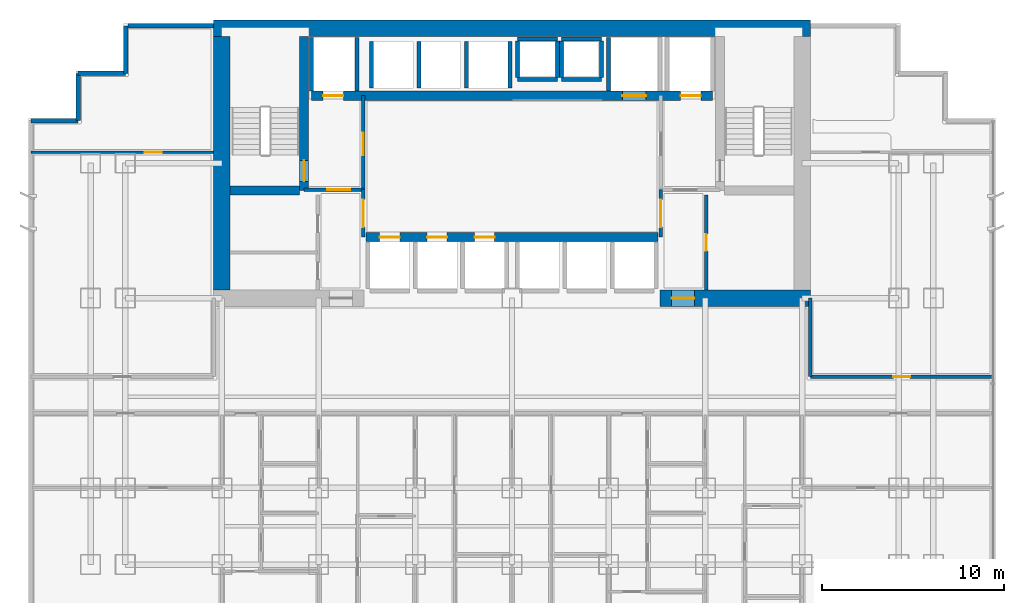
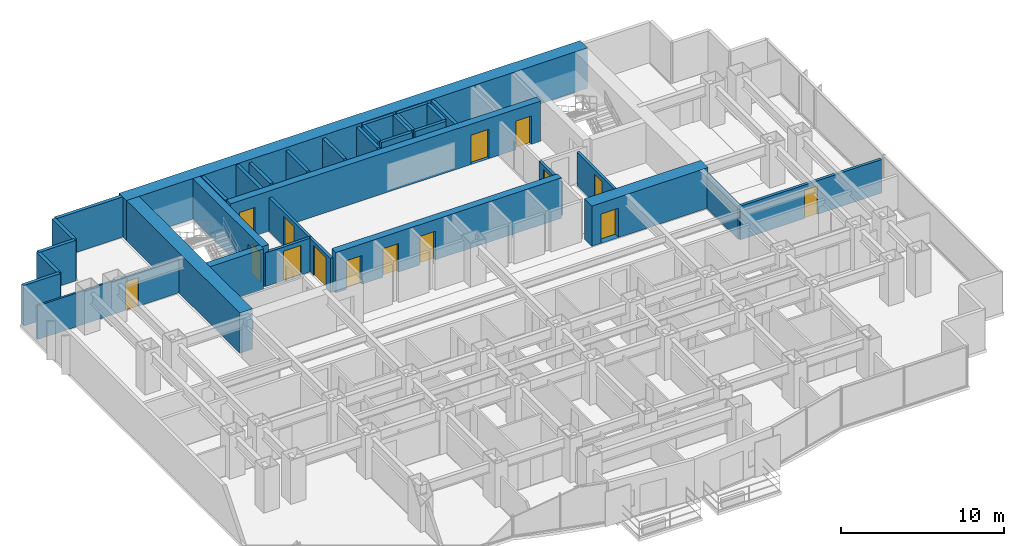
# One storey, part 9 of 12: 35 walls, 15 doors, 15 openings.
"""IFC4 building model written with IfcOpenShell, lengths in metres."""

from ifc_helpers import new_model, si_unit, direction, frame, frame_2d, origin, place, context, subcontext, project, spatial, rectangle, extrude, material, layer, layer_set, type_object, element, fill, save


model = new_model("IFC4")

# Units and contexts
model_context = context("Model", 3, precision=1e-05, world=origin(), true_north=direction((0.0, 1.0)))
body_context = subcontext(model_context, "Body", "Model", "MODEL_VIEW")
ifc_project = project(units=[si_unit("LENGTHUNIT", "METRE"), si_unit("AREAUNIT", "SQUARE_METRE"), si_unit("VOLUMEUNIT", "CUBIC_METRE"), si_unit("PLANEANGLEUNIT", "RADIAN"), si_unit("MASSUNIT", "GRAM", prefix="KILO")], contexts=[model_context])

# Site, building, storey
site_placement = place(None, origin())
site = spatial("IfcSite", under=ifc_project, at=site_placement, CompositionType="ELEMENT")
building_placement = place(site_placement, origin())
building = spatial("IfcBuilding", under=site, at=building_placement, Name="Qianlan Lanfeng Residences", CompositionType="ELEMENT")
storey_placement = place(building_placement, frame((0.0, 0.0, 67.10009765625)))
storey = spatial("IfcBuildingStorey", under=building, at=storey_placement, Name="L18", CompositionType="ELEMENT", Elevation=67.10009765625)

# Wall, opening, door
ifc_material_1 = material(Name="Concrete C70", Category="concrete")
ifc_layer_1 = layer(ifc_material_1, 0.5)
ifc_layer_set_1 = layer_set([ifc_layer_1], Name="Concrete C70")
wall_type_1 = type_object("IfcWallType", Name="CW-RC-500", PredefinedType="SHEAR", material=ifc_layer_set_1)
wall_1_placement = place(storey_placement, frame((15.10009765625, 31.10009765625, 0.0), z_axis=(0.0, 0.0, 1.0), x_axis=(0.0, 1.0, 0.0)))
wall_1 = element("IfcWall", 1, at=wall_1_placement, inside=storey, type_object=wall_type_1, Name="L18 Core Shear Wall ST1E", PredefinedType="SHEAR", context=body_context, shape_type="SweptSolid", body=[
    extrude(rectangle(XDim=8.449951171875, YDim=0.5, at=frame_2d((4.22509765625, 0.0))), origin(), (0.0, 0.0, 1.0), 3.02978515625),
])
opening_1_placement = place(wall_1_placement, frame((0.510009765625, 0.0, 0.0)))
opening_1 = element("IfcOpeningElement", 2, at=opening_1_placement, cuts=wall_1, Name="Opening L18-D07", PredefinedType="OPENING", context=body_context, shape_type="SweptSolid", body=[
    extrude(rectangle(XDim=1.14990234375, YDim=2.199951171875, at=frame_2d((0.574951171875, 1.10009765625))), frame((0.0, 0.260009765625, 0.0), z_axis=(0.0, -1.0, 0.0), x_axis=(1.0, 0.0, 0.0)), (0.0, 0.0, 1.0), 0.52001953125),
])
ifc_material_2 = material(Name="Painted Galvanised Steel Fire Door", Category="steel")
door_type_1 = type_object("IfcDoorType", Name="DT-ST1", OperationType="NOTDEFINED", PredefinedType="DOOR", material=ifc_material_2)
door_1_placement = place(opening_1_placement, frame((1.14990234375, 0.0, 0.0), z_axis=(0.0, 0.0, 1.0), x_axis=(-1.0, 0.0, 0.0)))
door_1 = element("IfcDoor", 3, at=door_1_placement, inside=storey, type_object=door_type_1, Name="L18 Exit Stair ST-1 Door L18-D07 (DT-ST1)", OperationType="SINGLE_SWING_RIGHT", OverallHeight=2.199951171875, OverallWidth=1.14990234375, PredefinedType="DOOR", context=body_context, shape_type="SweptSolid", body=[
    extrude(rectangle(XDim=1.14990234375, YDim=2.199951171875, at=frame_2d((0.574951171875, 1.10009765625))), frame((0.0, 0.02490234375, 0.0), z_axis=(0.0, -1.0, 0.0), x_axis=(1.0, 0.0, 0.0)), (0.0, 0.0, 1.0), 0.050048828125),
])
fill(opening_1, door_1)

# Wall
wall_2_placement = place(storey_placement, frame((11.050048828125, 31.10009765625, 0.0), z_axis=(0.0, 0.0, 1.0), x_axis=(1.0, 0.0, 0.0)))
element("IfcWall", 4, at=wall_2_placement, inside=storey, type_object=wall_type_1, Name="L18 Core Shear Wall ST1S", PredefinedType="SHEAR", context=body_context, shape_type="SweptSolid", body=[
    extrude(rectangle(XDim=3.800048828125, YDim=0.5, at=frame_2d((1.89990234375, 0.0))), origin(), (0.0, 0.0, 1.0), 3.02978515625),
])

# Wall, openings, doors
wall_3_placement = place(storey_placement, frame((15.5, 36.300048828125, 0.0), z_axis=(0.0, 0.0, 1.0), x_axis=(1.0, 0.0, 0.0)))
wall_3 = element("IfcWall", 5, at=wall_3_placement, inside=storey, type_object=wall_type_1, Name="L18 Core Shear Wall LBN", PredefinedType="SHEAR", context=body_context, shape_type="SweptSolid", body=[
    extrude(rectangle(XDim=22.0, YDim=0.5, at=frame_2d((11.0, 0.0))), origin(), (0.0, 0.0, 1.0), 3.02978515625),
])
opening_2_placement = place(wall_3_placement, frame((0.64990234375, 0.0, 0.0)))
opening_2 = element("IfcOpeningElement", 6, at=opening_2_placement, cuts=wall_3, Name="Opening L18-LD-FFL-1", PredefinedType="OPENING", context=body_context, shape_type="SweptSolid", body=[
    extrude(rectangle(XDim=1.10009765625, YDim=2.14990234375, at=frame_2d((0.550048828125, 1.074951171875))), frame((0.0, 0.260009765625, 0.0), z_axis=(0.0, -1.0, 0.0), x_axis=(1.0, 0.0, 0.0)), (0.0, 0.0, 1.0), 0.52001953125),
])
opening_3_placement = place(wall_3_placement, frame((20.25, 0.0, 0.0)))
opening_3 = element("IfcOpeningElement", 7, at=opening_3_placement, cuts=wall_3, Name="Opening L18-LD-FFL-2", PredefinedType="OPENING", context=body_context, shape_type="SweptSolid", body=[
    extrude(rectangle(XDim=1.10009765625, YDim=2.14990234375, at=frame_2d((0.550048828125, 1.074951171875))), frame((0.0, 0.260009765625, 0.0), z_axis=(0.0, -1.0, 0.0), x_axis=(1.0, 0.0, 0.0)), (0.0, 0.0, 1.0), 0.52001953125),
])
opening_4_placement = place(wall_3_placement, frame((17.050048828125, 0.0, 0.0)))
opening_4 = element("IfcOpeningElement", 8, at=opening_4_placement, cuts=wall_3, Name="Opening L18-LD-SVL-1", PredefinedType="OPENING", context=body_context, shape_type="SweptSolid", body=[
    extrude(rectangle(XDim=1.300048828125, YDim=2.199951171875, at=frame_2d((0.64990234375, 1.10009765625))), frame((0.0, 0.260009765625, 0.0), z_axis=(0.0, -1.0, 0.0), x_axis=(1.0, 0.0, 0.0)), (0.0, 0.0, 1.0), 0.52001953125),
])
ifc_material_3 = material(Name="Brushed Stainless Steel Sliding Lift Door", Category="steel")
door_type_2 = type_object("IfcDoorType", Name="LD-01", OperationType="NOTDEFINED", PredefinedType="DOOR", material=ifc_material_3)
door_2_placement = place(opening_2_placement, frame((1.10009765625, 0.0, 0.0), z_axis=(0.0, 0.0, 1.0), x_axis=(-1.0, 0.0, 0.0)))
door_2 = element("IfcDoor", 9, at=door_2_placement, inside=storey, type_object=door_type_2, Name="L18 Elevator FFL-1 Sliding Landing Door", OperationType="DOUBLE_DOOR_SLIDING", OverallHeight=2.14990234375, OverallWidth=1.10009765625, PredefinedType="DOOR", context=body_context, shape_type="SweptSolid", body=[
    extrude(rectangle(XDim=1.10009765625, YDim=2.14990234375, at=frame_2d((0.550048828125, 1.074951171875))), frame((0.0, 0.02490234375, 0.0), z_axis=(0.0, -1.0, 0.0), x_axis=(1.0, 0.0, 0.0)), (0.0, 0.0, 1.0), 0.050048828125),
])
fill(opening_2, door_2)
door_3_placement = place(opening_3_placement, frame((1.10009765625, 0.0, 0.0), z_axis=(0.0, 0.0, 1.0), x_axis=(-1.0, 0.0, 0.0)))
door_3 = element("IfcDoor", 10, at=door_3_placement, inside=storey, type_object=door_type_2, Name="L18 Elevator FFL-2 Sliding Landing Door", OperationType="DOUBLE_DOOR_SLIDING", OverallHeight=2.14990234375, OverallWidth=1.10009765625, PredefinedType="DOOR", context=body_context, shape_type="SweptSolid", body=[
    extrude(rectangle(XDim=1.10009765625, YDim=2.14990234375, at=frame_2d((0.550048828125, 1.074951171875))), frame((0.0, 0.02490234375, 0.0), z_axis=(0.0, -1.0, 0.0), x_axis=(1.0, 0.0, 0.0)), (0.0, 0.0, 1.0), 0.050048828125),
])
fill(opening_3, door_3)
door_type_3 = type_object("IfcDoorType", Name="LD-02", OperationType="NOTDEFINED", PredefinedType="DOOR", material=ifc_material_3)
door_4_placement = place(opening_4_placement, frame((1.300048828125, 0.0, 0.0), z_axis=(0.0, 0.0, 1.0), x_axis=(-1.0, 0.0, 0.0)))
door_4 = element("IfcDoor", 11, at=door_4_placement, inside=storey, type_object=door_type_3, Name="L18 Elevator SVL-1 Sliding Landing Door", OperationType="DOUBLE_DOOR_SLIDING", OverallHeight=2.199951171875, OverallWidth=1.300048828125, PredefinedType="DOOR", context=body_context, shape_type="SweptSolid", body=[
    extrude(rectangle(XDim=1.300048828125, YDim=2.199951171875, at=frame_2d((0.64990234375, 1.10009765625))), frame((0.0, 0.02490234375, 0.0), z_axis=(0.0, -1.0, 0.0), x_axis=(1.0, 0.0, 0.0)), (0.0, 0.0, 1.0), 0.050048828125),
])
fill(opening_4, door_4)

wall_4_placement = place(storey_placement, frame((18.5, 28.550048828125, 0.0), z_axis=(0.0, 0.0, 1.0), x_axis=(1.0, 0.0, 0.0)))
wall_4 = element("IfcWall", 12, at=wall_4_placement, inside=storey, type_object=wall_type_1, Name="L18 Core Shear Wall LBS", PredefinedType="SHEAR", context=body_context, shape_type="SweptSolid", body=[
    extrude(rectangle(XDim=16.0, YDim=0.5, at=frame_2d((8.0, 0.0))), origin(), (0.0, 0.0, 1.0), 3.02978515625),
])
opening_5_placement = place(wall_4_placement, frame((0.75, 0.0, 0.0)))
opening_5 = element("IfcOpeningElement", 13, at=opening_5_placement, cuts=wall_4, Name="Opening L18-LD-PL-L1", PredefinedType="OPENING", context=body_context, shape_type="SweptSolid", body=[
    extrude(rectangle(XDim=1.10009765625, YDim=2.14990234375, at=frame_2d((0.550048828125, 1.074951171875))), frame((0.0, 0.260009765625, 0.0), z_axis=(0.0, -1.0, 0.0), x_axis=(1.0, 0.0, 0.0)), (0.0, 0.0, 1.0), 0.52001953125),
])
opening_6_placement = place(wall_4_placement, frame((3.35009765625, 0.0, 0.0)))
opening_6 = element("IfcOpeningElement", 14, at=opening_6_placement, cuts=wall_4, Name="Opening L18-LD-PL-L2", PredefinedType="OPENING", context=body_context, shape_type="SweptSolid", body=[
    extrude(rectangle(XDim=1.10009765625, YDim=2.14990234375, at=frame_2d((0.550048828125, 1.074951171875))), frame((0.0, 0.260009765625, 0.0), z_axis=(0.0, -1.0, 0.0), x_axis=(1.0, 0.0, 0.0)), (0.0, 0.0, 1.0), 0.52001953125),
])
opening_7_placement = place(wall_4_placement, frame((5.949951171875, 0.0, 0.0)))
opening_7 = element("IfcOpeningElement", 15, at=opening_7_placement, cuts=wall_4, Name="Opening L18-LD-PL-L3", PredefinedType="OPENING", context=body_context, shape_type="SweptSolid", body=[
    extrude(rectangle(XDim=1.10009765625, YDim=2.14990234375, at=frame_2d((0.550048828125, 1.074951171875))), frame((0.0, 0.260009765625, 0.0), z_axis=(0.0, -1.0, 0.0), x_axis=(1.0, 0.0, 0.0)), (0.0, 0.0, 1.0), 0.52001953125),
])
door_5_placement = place(opening_5_placement, origin())
door_5 = element("IfcDoor", 16, at=door_5_placement, inside=storey, type_object=door_type_2, Name="L18 Elevator PL-L1 Sliding Landing Door", OperationType="DOUBLE_DOOR_SLIDING", OverallHeight=2.14990234375, OverallWidth=1.10009765625, PredefinedType="DOOR", context=body_context, shape_type="SweptSolid", body=[
    extrude(rectangle(XDim=1.10009765625, YDim=2.14990234375, at=frame_2d((0.550048828125, 1.074951171875))), frame((0.0, 0.02490234375, 0.0), z_axis=(0.0, -1.0, 0.0), x_axis=(1.0, 0.0, 0.0)), (0.0, 0.0, 1.0), 0.050048828125),
])
fill(opening_5, door_5)
door_6_placement = place(opening_6_placement, origin())
door_6 = element("IfcDoor", 17, at=door_6_placement, inside=storey, type_object=door_type_2, Name="L18 Elevator PL-L2 Sliding Landing Door", OperationType="DOUBLE_DOOR_SLIDING", OverallHeight=2.14990234375, OverallWidth=1.10009765625, PredefinedType="DOOR", context=body_context, shape_type="SweptSolid", body=[
    extrude(rectangle(XDim=1.10009765625, YDim=2.14990234375, at=frame_2d((0.550048828125, 1.074951171875))), frame((0.0, 0.02490234375, 0.0), z_axis=(0.0, -1.0, 0.0), x_axis=(1.0, 0.0, 0.0)), (0.0, 0.0, 1.0), 0.050048828125),
])
fill(opening_6, door_6)
door_7_placement = place(opening_7_placement, origin())
door_7 = element("IfcDoor", 18, at=door_7_placement, inside=storey, type_object=door_type_2, Name="L18 Elevator PL-L3 Sliding Landing Door", OperationType="DOUBLE_DOOR_SLIDING", OverallHeight=2.14990234375, OverallWidth=1.10009765625, PredefinedType="DOOR", context=body_context, shape_type="SweptSolid", body=[
    extrude(rectangle(XDim=1.10009765625, YDim=2.14990234375, at=frame_2d((0.550048828125, 1.074951171875))), frame((0.0, 0.02490234375, 0.0), z_axis=(0.0, -1.0, 0.0), x_axis=(1.0, 0.0, 0.0)), (0.0, 0.0, 1.0), 0.050048828125),
])
fill(opening_7, door_7)

# Walls
ifc_layer_2 = layer(ifc_material_1, 0.89990234375)
ifc_layer_set_2 = layer_set([ifc_layer_2], Name="Concrete C70")
wall_type_2 = type_object("IfcWallType", Name="CW-RC-900", PredefinedType="SHEAR", material=ifc_layer_set_2)
wall_5_placement = place(storey_placement, frame((10.14990234375, 40.0, 0.0), z_axis=(0.0, 0.0, 1.0), x_axis=(1.0, 0.0, 0.0)))
element("IfcWall", 19, at=wall_5_placement, inside=storey, type_object=wall_type_2, Name="L18 Core Shear Wall N", PredefinedType="SHEAR", context=body_context, shape_type="SweptSolid", body=[
    extrude(rectangle(XDim=32.7001953125, YDim=0.89990234375, at=frame_2d((16.35009765625, 0.0))), origin(), (0.0, 0.0, 1.0), 3.02978515625),
])
wall_6_placement = place(storey_placement, frame((10.60009765625, 25.64990234375, 0.0), z_axis=(0.0, 0.0, 1.0), x_axis=(0.0, 1.0, 0.0)))
element("IfcWall", 20, at=wall_6_placement, inside=storey, type_object=wall_type_2, Name="L18 Core Shear Wall W", PredefinedType="SHEAR", context=body_context, shape_type="SweptSolid", body=[
    extrude(rectangle(XDim=13.900146484375, YDim=0.89990234375, at=frame_2d((6.9501953125, 0.0))), origin(), (0.0, 0.0, 1.0), 3.02978515625),
])

# Wall, opening, door
wall_7_placement = place(storey_placement, frame((34.60009765625, 25.199951171875, 0.0), z_axis=(0.0, 0.0, 1.0), x_axis=(1.0, 0.0, 0.0)))
wall_7 = element("IfcWall", 21, at=wall_7_placement, inside=storey, type_object=wall_type_2, Name="L18 Core Shear Wall SE", PredefinedType="SHEAR", context=body_context, shape_type="SweptSolid", body=[
    extrude(rectangle(XDim=8.25, YDim=0.89990234375, at=frame_2d((4.125, 0.0))), origin(), (0.0, 0.0, 1.0), 3.02978515625),
])
opening_8_placement = place(wall_7_placement, frame((0.64990234375, 0.0, 0.0)))
opening_8 = element("IfcOpeningElement", 22, at=opening_8_placement, cuts=wall_7, Name="Opening L18-D02", PredefinedType="OPENING", context=body_context, shape_type="SweptSolid", body=[
    extrude(rectangle(XDim=1.25, YDim=2.199951171875, at=frame_2d((0.625, 1.10009765625))), frame((0.0, 0.4599609375, 0.0), z_axis=(0.0, -1.0, 0.0), x_axis=(1.0, 0.0, 0.0)), (0.0, 0.0, 1.0), 0.919921875),
])
door_type_4 = type_object("IfcDoorType", Name="DT-FFL", OperationType="NOTDEFINED", PredefinedType="DOOR", material=ifc_material_2)
door_8_placement = place(opening_8_placement, frame((1.25, 0.0, 0.0), z_axis=(0.0, 0.0, 1.0), x_axis=(-1.0, 0.0, 0.0)))
door_8 = element("IfcDoor", 23, at=door_8_placement, inside=storey, type_object=door_type_4, Name="L18 East Core Lobby Smoke Door L18-D02 (DT-FFL)", OperationType="SINGLE_SWING_LEFT", OverallHeight=2.199951171875, OverallWidth=1.25, PredefinedType="DOOR", context=body_context, shape_type="SweptSolid", body=[
    extrude(rectangle(XDim=1.25, YDim=2.199951171875, at=frame_2d((0.625, 1.10009765625))), frame((0.0, 0.02490234375, 0.0), z_axis=(0.0, -1.0, 0.0), x_axis=(1.0, 0.0, 0.0)), (0.0, 0.0, 1.0), 0.050048828125),
])
fill(opening_8, door_8)

# Walls
ifc_material_4 = material(Name="Concrete C42", Category="concrete")
ifc_layer_3 = layer(ifc_material_4, 0.239990234375)
ifc_layer_set_3 = layer_set([ifc_layer_3], Name="Concrete C42")
wall_type_3 = type_object("IfcWallType", Name="EW-240", PredefinedType="SOLIDWALL", material=ifc_layer_set_3)
wall_8_placement = place(storey_placement, frame((10.14990234375, 40.1298828125, 0.0), z_axis=(0.0, 0.0, 1.0), x_axis=(-1.0, 0.0, 0.0)))
element("IfcWall", 24, at=wall_8_placement, inside=storey, type_object=wall_type_3, Name="L18 North Wing Exterior Wall W", PredefinedType="SOLIDWALL", context=body_context, shape_type="SweptSolid", body=[
    extrude(rectangle(XDim=4.699951171875, YDim=0.239990234375, at=frame_2d((2.35009765625, 0.0))), origin(), (0.0, 0.0, 1.0), 3.02978515625),
])
wall_9_placement = place(storey_placement, frame((5.320068359375, 40.1298828125, 0.0), z_axis=(0.0, 0.0, 1.0), x_axis=(0.0, -1.0, 0.0)))
element("IfcWall", 25, at=wall_9_placement, inside=storey, type_object=wall_type_3, Name="L18 Exterior Facade Spandrel Wall 17", PredefinedType="SOLIDWALL", context=body_context, shape_type="SweptSolid", body=[
    extrude(rectangle(XDim=2.599853515625, YDim=0.239990234375, at=frame_2d((1.2998046875, 0.0))), origin(), (0.0, 0.0, 1.0), 3.02978515625),
])
for number, where, z_axis, x_axis, name in (
    (26, (5.320068359375, 37.530029296875, 0.0), (0.0, 0.0, 1.0), (-1.0, 0.0, 0.0), "L18 Exterior Facade Spandrel Wall 18"),
    (27, (2.719970703125, 37.530029296875, 0.0), (0.0, 0.0, 1.0), (0.0, -1.0, 0.0), "L18 Exterior Facade Spandrel Wall 19"),
):
    element("IfcWall", number, at=place(storey_placement, frame(where, z_axis=z_axis, x_axis=x_axis)), inside=storey, type_object=wall_type_3, Name=name, PredefinedType="SOLIDWALL", context=body_context, shape_type="SweptSolid", body=[
        extrude(rectangle(XDim=2.60009765625, YDim=0.239990234375, at=frame_2d((1.300048828125, 0.0))), origin(), (0.0, 0.0, 1.0), 3.02978515625),
    ])
wall_10_placement = place(storey_placement, frame((2.719970703125, 34.929931640625, 0.0), z_axis=(0.0, 0.0, 1.0), x_axis=(-1.0, 0.0, 0.0)))
element("IfcWall", 28, at=wall_10_placement, inside=storey, type_object=wall_type_3, Name="L18 Exterior Facade Spandrel Wall 20", PredefinedType="SOLIDWALL", context=body_context, shape_type="SweptSolid", body=[
    extrude(rectangle(XDim=2.599853515625, YDim=0.239990234375, at=frame_2d((1.2998046875, 0.0))), origin(), (0.0, 0.0, 1.0), 3.02978515625),
])

# Wall, opening, door
ifc_material_5 = material(Name="Moisture-Resistant Gypsum Partition 135 mm")
ifc_layer_4 = layer(ifc_material_5, 0.135009765625)
ifc_layer_set_4 = layer_set([ifc_layer_4], Name="Moisture-Resistant Gypsum Partition 135 mm")
wall_type_4 = type_object("IfcWallType", Name="PW-135", PredefinedType="PARTITIONING", material=ifc_layer_set_4)
wall_11_placement = place(storey_placement, frame((0.1201171875, 33.199951171875, 0.0), z_axis=(0.0, 0.0, 1.0), x_axis=(1.0, 0.0, 0.0)))
wall_11 = element("IfcWall", 29, at=wall_11_placement, inside=storey, type_object=wall_type_4, Name="L18 WW North Wing Wall", PredefinedType="PARTITIONING", context=body_context, shape_type="SweptSolid", body=[
    extrude(rectangle(XDim=10.02978515625, YDim=0.135009765625, at=frame_2d((5.014892578125, 0.0))), origin(), (0.0, 0.0, 1.0), 2.52001953125),
])
opening_9_placement = place(wall_11_placement, frame((6.2548828125, 0.0, 0.0)))
opening_9 = element("IfcOpeningElement", 30, at=opening_9_placement, cuts=wall_11, Name="Opening L18-D46", PredefinedType="OPENING", context=body_context, shape_type="SweptSolid", body=[
    extrude(rectangle(XDim=0.919921875, YDim=2.14990234375, at=frame_2d((0.4599609375, 1.074951171875))), frame((0.0, 0.07763671875, 0.0), z_axis=(0.0, -1.0, 0.0), x_axis=(1.0, 0.0, 0.0)), (0.0, 0.0, 1.0), 0.155029296875),
])
ifc_material_6 = material(Name="Glazed Timber Kitchen/Study Door", Category="wood")
door_type_5 = type_object("IfcDoorType", Name="DT-INT", OperationType="NOTDEFINED", PredefinedType="DOOR", material=ifc_material_6)
door_9_placement = place(opening_9_placement, origin())
door_9 = element("IfcDoor", 31, at=door_9_placement, inside=storey, type_object=door_type_5, Name="L18 WW Inner Salon Door L18-D46 (DT-INT)", OperationType="SINGLE_SWING_RIGHT", OverallHeight=2.14990234375, OverallWidth=0.919921875, PredefinedType="DOOR", context=body_context, shape_type="SweptSolid", body=[
    extrude(rectangle(XDim=0.919921875, YDim=2.14990234375, at=frame_2d((0.4599609375, 1.074951171875))), frame((0.0, 0.02490234375, 0.0), z_axis=(0.0, -1.0, 0.0), x_axis=(1.0, 0.0, 0.0)), (0.0, 0.0, 1.0), 0.050048828125),
])
fill(opening_9, door_9)

ifc_material_7 = material(Name="Double-Layer Acoustic Gypsum Stud Wall 180 mm")
ifc_layer_5 = layer(ifc_material_7, 0.179931640625)
ifc_layer_set_5 = layer_set([ifc_layer_5], Name="Double-Layer Acoustic Gypsum Stud Wall 180 mm")
wall_type_5 = type_object("IfcWallType", Name="PW-180", PredefinedType="PARTITIONING", material=ifc_layer_set_5)
wall_12_placement = place(storey_placement, frame((37.14990234375, 25.64990234375, 0.0), z_axis=(0.0, 0.0, 1.0), x_axis=(0.0, 1.0, 0.0)))
wall_12 = element("IfcWall", 32, at=wall_12_placement, inside=storey, type_object=wall_type_5, Name="L18 Core East Service Room Wall", PredefinedType="PARTITIONING", context=body_context, shape_type="SweptSolid", body=[
    extrude(rectangle(XDim=5.2001953125, YDim=0.179931640625, at=frame_2d((2.60009765625, 0.0))), origin(), (0.0, 0.0, 1.0), 2.52001953125),
])
opening_10_placement = place(wall_12_placement, frame((2.139892578125, 0.0, 0.0)))
opening_10 = element("IfcOpeningElement", 33, at=opening_10_placement, cuts=wall_12, Name="Opening L18-D11", PredefinedType="OPENING", context=body_context, shape_type="SweptSolid", body=[
    extrude(rectangle(XDim=0.919921875, YDim=2.14990234375, at=frame_2d((0.4599609375, 1.074951171875))), frame((0.0, 0.10009765625, 0.0), z_axis=(0.0, -1.0, 0.0), x_axis=(1.0, 0.0, 0.0)), (0.0, 0.0, 1.0), 0.199951171875),
])
door_10_placement = place(opening_10_placement, origin())
door_10 = element("IfcDoor", 34, at=door_10_placement, inside=storey, type_object=door_type_5, Name="L18 Mail Parcel Closet Door L18-D11 (DT-INT)", OperationType="SINGLE_SWING_LEFT", OverallHeight=2.14990234375, OverallWidth=0.919921875, PredefinedType="DOOR", context=body_context, shape_type="SweptSolid", body=[
    extrude(rectangle(XDim=0.919921875, YDim=2.14990234375, at=frame_2d((0.4599609375, 1.074951171875))), frame((0.0, 0.02490234375, 0.0), z_axis=(0.0, -1.0, 0.0), x_axis=(1.0, 0.0, 0.0)), (0.0, 0.0, 1.0), 0.050048828125),
])
fill(opening_10, door_10)

ifc_material_8 = material(Name="Autoclaved Aerated Concrete Blockwork 200 mm", Category="masonry")
ifc_layer_6 = layer(ifc_material_8, 0.199951171875)
ifc_layer_set_6 = layer_set([ifc_layer_6], Name="Autoclaved Aerated Concrete Blockwork 200 mm")
wall_type_6 = type_object("IfcWallType", Name="PW-200", PredefinedType="PARTITIONING", material=ifc_layer_set_6)
wall_13_placement = place(storey_placement, frame((15.10009765625, 31.14990234375, 0.0), z_axis=(0.0, 0.0, 1.0), x_axis=(1.0, 0.0, 0.0)))
wall_13 = element("IfcWall", 35, at=wall_13_placement, inside=storey, type_object=wall_type_6, Name="L18 Firefighting Lobby 1 South Wall", PredefinedType="PARTITIONING", context=body_context, shape_type="SweptSolid", body=[
    extrude(rectangle(XDim=3.25, YDim=0.199951171875, at=frame_2d((1.625, 0.0))), origin(), (0.0, 0.0, 1.0), 2.52001953125),
])
opening_11_placement = place(wall_13_placement, frame((1.27490234375, 0.0, 0.0)))
opening_11 = element("IfcOpeningElement", 36, at=opening_11_placement, cuts=wall_13, Name="Opening L18-D03", PredefinedType="OPENING", context=body_context, shape_type="SweptSolid", body=[
    extrude(rectangle(XDim=1.25, YDim=2.199951171875, at=frame_2d((0.625, 1.10009765625))), frame((0.0, 0.10986328125, 0.0), z_axis=(0.0, -1.0, 0.0), x_axis=(1.0, 0.0, 0.0)), (0.0, 0.0, 1.0), 0.219970703125),
])
door_11_placement = place(opening_11_placement, origin())
door_11 = element("IfcDoor", 37, at=door_11_placement, inside=storey, type_object=door_type_4, Name="L18 Firefighting Lobby 1 Entry Door L18-D03 (DT-FFL)", OperationType="SINGLE_SWING_LEFT", OverallHeight=2.199951171875, OverallWidth=1.25, PredefinedType="DOOR", context=body_context, shape_type="SweptSolid", body=[
    extrude(rectangle(XDim=1.25, YDim=2.199951171875, at=frame_2d((0.625, 1.10009765625))), frame((0.0, 0.02490234375, 0.0), z_axis=(0.0, -1.0, 0.0), x_axis=(1.0, 0.0, 0.0)), (0.0, 0.0, 1.0), 0.050048828125),
])
fill(opening_11, door_11)

wall_14_placement = place(storey_placement, frame((18.35009765625, 31.14990234375, 0.0), z_axis=(0.0, 0.0, 1.0), x_axis=(0.0, 1.0, 0.0)))
wall_14 = element("IfcWall", 38, at=wall_14_placement, inside=storey, type_object=wall_type_6, Name="L18 Firefighting Lobby 1 East Wall", PredefinedType="PARTITIONING", context=body_context, shape_type="SweptSolid", body=[
    extrude(rectangle(XDim=5.150146484375, YDim=0.199951171875, at=frame_2d((2.5751953125, 0.0))), origin(), (0.0, 0.0, 1.0), 2.52001953125),
])
opening_12_placement = place(wall_14_placement, frame((1.875, 0.0, 0.0)))
opening_12 = element("IfcOpeningElement", 39, at=opening_12_placement, cuts=wall_14, Name="Opening L18-D04", PredefinedType="OPENING", context=body_context, shape_type="SweptSolid", body=[
    extrude(rectangle(XDim=1.25, YDim=2.199951171875, at=frame_2d((0.625, 1.10009765625))), frame((0.0, 0.10986328125, 0.0), z_axis=(0.0, -1.0, 0.0), x_axis=(1.0, 0.0, 0.0)), (0.0, 0.0, 1.0), 0.219970703125),
])
door_12_placement = place(opening_12_placement, origin())
door_12 = element("IfcDoor", 40, at=door_12_placement, inside=storey, type_object=door_type_4, Name="L18 Firefighting Lobby 1 Lift Lobby Door L18-D04 (DT-FFL)", OperationType="SINGLE_SWING_RIGHT", OverallHeight=2.199951171875, OverallWidth=1.25, PredefinedType="DOOR", context=body_context, shape_type="SweptSolid", body=[
    extrude(rectangle(XDim=1.25, YDim=2.199951171875, at=frame_2d((0.625, 1.10009765625))), frame((0.0, 0.02490234375, 0.0), z_axis=(0.0, -1.0, 0.0), x_axis=(1.0, 0.0, 0.0)), (0.0, 0.0, 1.0), 0.050048828125),
])
fill(opening_12, door_12)

wall_15_placement = place(storey_placement, frame((18.35009765625, 28.550048828125, 0.0), z_axis=(0.0, 0.0, 1.0), x_axis=(0.0, 1.0, 0.0)))
wall_15 = element("IfcWall", 41, at=wall_15_placement, inside=storey, type_object=wall_type_6, Name="L18 Lift Lobby West Connector Wall", PredefinedType="PARTITIONING", context=body_context, shape_type="SweptSolid", body=[
    extrude(rectangle(XDim=2.599853515625, YDim=0.199951171875, at=frame_2d((1.2998046875, 0.0))), origin(), (0.0, 0.0, 1.0), 2.52001953125),
])
opening_13_placement = place(wall_15_placement, frame((0.550048828125, 0.0, 0.0)))
opening_13 = element("IfcOpeningElement", 42, at=opening_13_placement, cuts=wall_15, Name="Opening L18-D12", PredefinedType="OPENING", context=body_context, shape_type="SweptSolid", body=[
    extrude(rectangle(XDim=1.5, YDim=2.25, at=frame_2d((0.75, 1.125))), frame((0.0, 0.10986328125, 0.0), z_axis=(0.0, -1.0, 0.0), x_axis=(1.0, 0.0, 0.0)), (0.0, 0.0, 1.0), 0.219970703125),
])
ifc_material_9 = material(Name="Timber Veneer Acoustic Fire Door", Category="wood")
door_type_6 = type_object("IfcDoorType", Name="DT-COR1", OperationType="NOTDEFINED", PredefinedType="DOOR", material=ifc_material_9)
door_13_placement = place(opening_13_placement, origin())
door_13 = element("IfcDoor", 43, at=door_13_placement, inside=storey, type_object=door_type_6, Name="L18 Lift Lobby West Portal Door L18-D12 (DT-COR1)", OperationType="DOUBLE_DOOR_SINGLE_SWING", OverallHeight=2.25, OverallWidth=1.5, PredefinedType="DOOR", context=body_context, shape_type="SweptSolid", body=[
    extrude(rectangle(XDim=1.5, YDim=2.25, at=frame_2d((0.75, 1.125))), frame((0.0, 0.02490234375, 0.0), z_axis=(0.0, -1.0, 0.0), x_axis=(1.0, 0.0, 0.0)), (0.0, 0.0, 1.0), 0.050048828125),
])
fill(opening_13, door_13)

wall_16_placement = place(storey_placement, frame((34.64990234375, 28.550048828125, 0.0), z_axis=(0.0, 0.0, 1.0), x_axis=(0.0, 1.0, 0.0)))
wall_16 = element("IfcWall", 44, at=wall_16_placement, inside=storey, type_object=wall_type_6, Name="L18 Lift Lobby East Connector Wall", PredefinedType="PARTITIONING", context=body_context, shape_type="SweptSolid", body=[
    extrude(rectangle(XDim=2.599853515625, YDim=0.199951171875, at=frame_2d((1.2998046875, 0.0))), origin(), (0.0, 0.0, 1.0), 2.52001953125),
])
opening_14_placement = place(wall_16_placement, frame((0.550048828125, 0.0, 0.0)))
opening_14 = element("IfcOpeningElement", 45, at=opening_14_placement, cuts=wall_16, Name="Opening L18-D13", PredefinedType="OPENING", context=body_context, shape_type="SweptSolid", body=[
    extrude(rectangle(XDim=1.5, YDim=2.25, at=frame_2d((0.75, 1.125))), frame((0.0, 0.10986328125, 0.0), z_axis=(0.0, -1.0, 0.0), x_axis=(1.0, 0.0, 0.0)), (0.0, 0.0, 1.0), 0.219970703125),
])
door_14_placement = place(opening_14_placement, frame((1.5, 0.0, 0.0), z_axis=(0.0, 0.0, 1.0), x_axis=(-1.0, 0.0, 0.0)))
door_14 = element("IfcDoor", 46, at=door_14_placement, inside=storey, type_object=door_type_6, Name="L18 Lift Lobby East Portal Door L18-D13 (DT-COR1)", OperationType="DOUBLE_DOOR_SINGLE_SWING", OverallHeight=2.25, OverallWidth=1.5, PredefinedType="DOOR", context=body_context, shape_type="SweptSolid", body=[
    extrude(rectangle(XDim=1.5, YDim=2.25, at=frame_2d((0.75, 1.125))), frame((0.0, 0.02490234375, 0.0), z_axis=(0.0, -1.0, 0.0), x_axis=(1.0, 0.0, 0.0)), (0.0, 0.0, 1.0), 0.050048828125),
])
fill(opening_14, door_14)

wall_17_placement = place(storey_placement, frame((42.85009765625, 20.89990234375, 0.0), z_axis=(0.0, 0.0, 1.0), x_axis=(1.0, 0.0, 0.0)))
wall_17 = element("IfcWall", 47, at=wall_17_placement, inside=storey, type_object=wall_type_6, Name="L18 Corridor NE Wall", PredefinedType="PARTITIONING", context=body_context, shape_type="SweptSolid", body=[
    extrude(rectangle(XDim=10.02978515625, YDim=0.199951171875, at=frame_2d((5.014892578125, 0.0))), origin(), (0.0, 0.0, 1.0), 2.52001953125),
])
opening_15_placement = place(wall_17_placement, frame((4.554931640625, 0.0, 0.0)))
opening_15 = element("IfcOpeningElement", 48, at=opening_15_placement, cuts=wall_17, Name="Opening L18-D49", PredefinedType="OPENING", context=body_context, shape_type="SweptSolid", body=[
    extrude(rectangle(XDim=0.919921875, YDim=2.14990234375, at=frame_2d((0.4599609375, 1.074951171875))), frame((0.0, 0.10986328125, 0.0), z_axis=(0.0, -1.0, 0.0), x_axis=(1.0, 0.0, 0.0)), (0.0, 0.0, 1.0), 0.219970703125),
])
door_15_placement = place(opening_15_placement, origin())
door_15 = element("IfcDoor", 49, at=door_15_placement, inside=storey, type_object=door_type_5, Name="L18 EW Amenity Salon Door L18-D49 (DT-INT)", OperationType="SINGLE_SWING_LEFT", OverallHeight=2.14990234375, OverallWidth=0.919921875, PredefinedType="DOOR", context=body_context, shape_type="SweptSolid", body=[
    extrude(rectangle(XDim=0.919921875, YDim=2.14990234375, at=frame_2d((0.4599609375, 1.074951171875))), frame((0.0, 0.02490234375, 0.0), z_axis=(0.0, -1.0, 0.0), x_axis=(1.0, 0.0, 0.0)), (0.0, 0.0, 1.0), 0.050048828125),
])
fill(opening_15, door_15)

# Walls
wall_18_placement = place(storey_placement, frame((42.85009765625, 20.89990234375, 0.0), z_axis=(0.0, 0.0, 1.0), x_axis=(0.0, 1.0, 0.0)))
element("IfcWall", 50, at=wall_18_placement, inside=storey, type_object=wall_type_6, Name="L18 NE Wing Core Return Wall", PredefinedType="PARTITIONING", context=body_context, shape_type="SweptSolid", body=[
    extrude(rectangle(XDim=4.300048828125, YDim=0.199951171875, at=frame_2d((2.14990234375, 0.0))), origin(), (0.0, 0.0, 1.0), 2.52001953125),
])
ifc_material_10 = material(Name="Concrete C49", Category="concrete")
ifc_layer_7 = layer(ifc_material_10, 0.219970703125)
ifc_layer_set_7 = layer_set([ifc_layer_7], Name="Concrete C49")
wall_type_7 = type_object("IfcWallType", Name="SHW-220", PredefinedType="SOLIDWALL", material=ifc_layer_set_7)
for number, where, z_axis, x_axis, name in (
    (51, (15.52001953125, 36.550048828125, 0.0), (0.0, 0.0, 1.0), (0.0, 1.0, 0.0), "L18 Lift FFL-1 Shaft Wall W"),
    (52, (18.0, 36.550048828125, 0.0), (0.0, 0.0, 1.0), (0.0, 1.0, 0.0), "L18 Lift FFL-1 Shaft Wall E"),
    (53, (31.800048828125, 36.550048828125, 0.0), (0.0, 0.0, 1.0), (0.0, 1.0, 0.0), "L18 Lift SVL-1 Shaft Wall W"),
):
    element("IfcWall", number, at=place(storey_placement, frame(where, z_axis=z_axis, x_axis=x_axis)), inside=storey, type_object=wall_type_7, Name=name, PredefinedType="SOLIDWALL", context=body_context, shape_type="SweptSolid", body=[
        extrude(rectangle(XDim=2.929931640625, YDim=0.219970703125, at=frame_2d((1.46484375, 0.0))), origin(), (0.0, 0.0, 1.0), 3.02978515625),
    ])
for number, where, z_axis, x_axis, name in (
    (54, (18.800048828125, 36.719970703125, 0.0), (0.0, 0.0, 1.0), (0.0, 1.0, 0.0), "L18 Lift PL-H1 Shaft Wall W"),
    (55, (21.39990234375, 36.719970703125, 0.0), (0.0, 0.0, 1.0), (0.0, 1.0, 0.0), "L18 Lift PL-H2 Shaft Wall W"),
    (56, (24.0, 36.719970703125, 0.0), (0.0, 0.0, 1.0), (0.0, 1.0, 0.0), "L18 Lift PL-H3 Shaft Wall W"),
    (57, (26.39990234375, 36.719970703125, 0.0), (0.0, 0.0, 1.0), (0.0, 1.0, 0.0), "L18 Lift PL-H3 Shaft Wall E"),
):
    element("IfcWall", number, at=place(storey_placement, frame(where, z_axis=z_axis, x_axis=x_axis)), inside=storey, type_object=wall_type_7, Name=name, PredefinedType="SOLIDWALL", context=body_context, shape_type="SweptSolid", body=[
        extrude(rectangle(XDim=2.56005859375, YDim=0.219970703125, at=frame_2d((1.280029296875, 0.0))), origin(), (0.0, 0.0, 1.0), 3.02978515625),
    ])
for number, where, z_axis, x_axis, name in (
    (58, (26.800048828125, 37.31005859375, 0.0), (0.0, 0.0, 1.0), (0.0, 1.0, 0.0), "L18 MEP Riser MEP-R1 Shaft Wall W"),
    (59, (29.0, 37.31005859375, 0.0), (0.0, 0.0, 1.0), (0.0, 1.0, 0.0), "L18 MEP Riser MEP-R1 Shaft Wall E"),
):
    element("IfcWall", number, at=place(storey_placement, frame(where, z_axis=z_axis, x_axis=x_axis)), inside=storey, type_object=wall_type_7, Name=name, PredefinedType="SOLIDWALL", context=body_context, shape_type="SweptSolid", body=[
        extrude(rectangle(XDim=1.97998046875, YDim=0.219970703125, at=frame_2d((0.989990234375, 0.0))), origin(), (0.0, 0.0, 1.0), 3.02978515625),
    ])
for number, where, z_axis, x_axis, name in (
    (60, (26.800048828125, 39.39990234375, 0.0), (0.0, 0.0, 1.0), (1.0, 0.0, 0.0), "L18 MEP Riser MEP-R1 Shaft Wall N"),
    (61, (26.800048828125, 37.199951171875, 0.0), (0.0, 0.0, 1.0), (1.0, 0.0, 0.0), "L18 MEP Riser MEP-R1 Shaft Wall S"),
):
    element("IfcWall", number, at=place(storey_placement, frame(where, z_axis=z_axis, x_axis=x_axis)), inside=storey, type_object=wall_type_7, Name=name, PredefinedType="SOLIDWALL", context=body_context, shape_type="SweptSolid", body=[
        extrude(rectangle(XDim=2.199951171875, YDim=0.219970703125, at=frame_2d((1.10009765625, 0.0))), origin(), (0.0, 0.0, 1.0), 3.02978515625),
    ])
for number, where, z_axis, x_axis, name in (
    (62, (29.199951171875, 37.31005859375, 0.0), (0.0, 0.0, 1.0), (0.0, 1.0, 0.0), "L18 MEP Riser MEP-R2 Shaft Wall W"),
    (63, (31.39990234375, 37.31005859375, 0.0), (0.0, 0.0, 1.0), (0.0, 1.0, 0.0), "L18 MEP Riser MEP-R2 Shaft Wall E"),
):
    element("IfcWall", number, at=place(storey_placement, frame(where, z_axis=z_axis, x_axis=x_axis)), inside=storey, type_object=wall_type_7, Name=name, PredefinedType="SOLIDWALL", context=body_context, shape_type="SweptSolid", body=[
        extrude(rectangle(XDim=1.97998046875, YDim=0.219970703125, at=frame_2d((0.989990234375, 0.0))), origin(), (0.0, 0.0, 1.0), 3.02978515625),
    ])
for number, where, z_axis, x_axis, name in (
    (64, (29.199951171875, 39.39990234375, 0.0), (0.0, 0.0, 1.0), (1.0, 0.0, 0.0), "L18 MEP Riser MEP-R2 Shaft Wall N"),
    (65, (29.199951171875, 37.199951171875, 0.0), (0.0, 0.0, 1.0), (1.0, 0.0, 0.0), "L18 MEP Riser MEP-R2 Shaft Wall S"),
):
    element("IfcWall", number, at=place(storey_placement, frame(where, z_axis=z_axis, x_axis=x_axis)), inside=storey, type_object=wall_type_7, Name=name, PredefinedType="SOLIDWALL", context=body_context, shape_type="SweptSolid", body=[
        extrude(rectangle(XDim=2.199951171875, YDim=0.219970703125, at=frame_2d((1.10009765625, 0.0))), origin(), (0.0, 0.0, 1.0), 3.02978515625),
    ])

save(model, "model.ifc")
